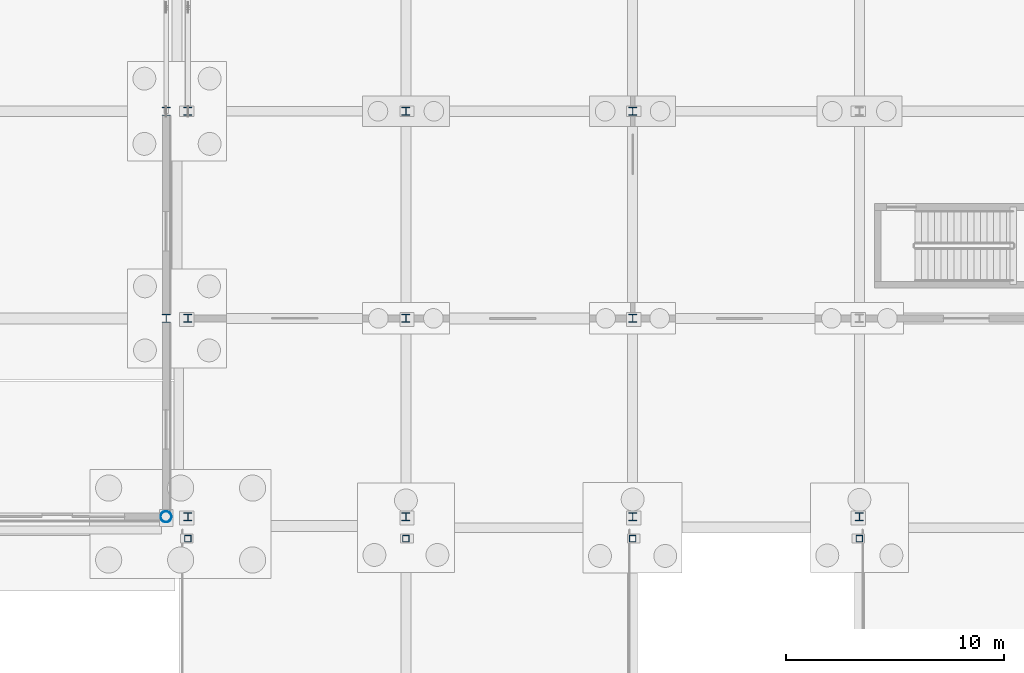
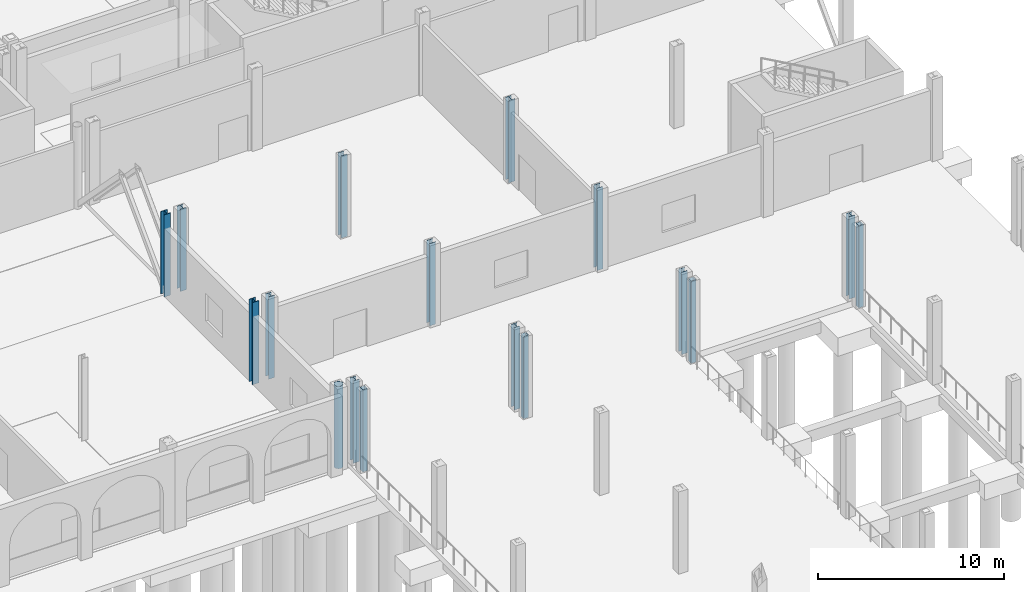
# One storey, part 30 of 83: 17 columns.
"""IFC4 building model written with IfcOpenShell, lengths in metres."""

from ifc_helpers import new_model, si_unit, direction, frame, origin, origin_2d, place, context, subcontext, project, spatial, hollow_rectangle, hollow_circle, i_section, extrude, material, material_profile, profile_set, type_object, element, save


model = new_model("IFC4")

# Units and contexts
model_context = context("Model", 3, precision=1e-05, world=origin(), true_north=direction((0.0, 1.0)))
body_context = subcontext(model_context, "Body", "Model", "MODEL_VIEW")
ifc_project = project(units=[si_unit("LENGTHUNIT", "METRE"), si_unit("AREAUNIT", "SQUARE_METRE"), si_unit("VOLUMEUNIT", "CUBIC_METRE"), si_unit("PLANEANGLEUNIT", "RADIAN"), si_unit("MASSUNIT", "GRAM", prefix="KILO")], contexts=[model_context])

# Site, building, storey
site_placement = place(None, origin())
site = spatial("IfcSite", under=ifc_project, at=site_placement, CompositionType="ELEMENT")
building_placement = place(site_placement, origin())
building = spatial("IfcBuilding", under=site, at=building_placement, Name="Caurita Quay Ferry Terminal", CompositionType="ELEMENT")
storey_placement = place(building_placement, origin())
storey = spatial("IfcBuildingStorey", under=building, at=storey_placement, Name="L00", CompositionType="ELEMENT", Elevation=0.0)

# Columns
ifc_material_1 = material(Name="Hollow structural steel ASTM A500 Gr. C", Category="steel")
ifc_material_profile_1 = material_profile(ifc_material_1, hollow_rectangle(XDim=0.3046875, YDim=0.3046875, WallThickness=0.01171875, InnerFilletRadius=0.01171875, OuterFilletRadius=0.023681640625, at=origin_2d()), Name="HSS12X12X1/2")
ifc_profile_set_1 = profile_set([ifc_material_profile_1], Name="Hollow structural steel ASTM A500 Gr. C")
column_type_1 = type_object("IfcColumnType", Name="COL-HSS-02", PredefinedType="COLUMN", material=ifc_profile_set_1)
for number, where, z_axis, x_axis, name in (
    (1, (132.800048828125, 33.60009765625, 0.0), (0.0, 0.0, 1.0), (1.0, 0.0, 0.0), "L00 Column V3-BP-15-E"),
    (2, (142.800048828125, 33.60009765625, 0.0), (0.0, 0.0, 1.0), (1.0, 0.0, 0.0), "L00 Column V3-BP-16-E"),
    (3, (153.199951171875, 33.60009765625, 0.0), (0.0, 0.0, 1.0), (1.0, 0.0, 0.0), "L00 Column V3-BP-17-E"),
    (4, (163.60009765625, 33.60009765625, 0.0), (0.0, 0.0, 1.0), (1.0, 0.0, 0.0), "L00 Column V3-BP-18-E"),
):
    element("IfcColumn", number, at=place(storey_placement, frame(where, z_axis=z_axis, x_axis=x_axis)), inside=storey, type_object=column_type_1, Name=name, PredefinedType="COLUMN", context=body_context, shape_type="SweptSolid", body=[
        extrude(hollow_rectangle(XDim=0.3046875, YDim=0.3046875, WallThickness=0.01171875, InnerFilletRadius=0.01171875, OuterFilletRadius=0.023681640625, at=origin_2d()), origin(), (0.0, 0.0, 1.0), 5.39990234375),
    ])
ifc_material_profile_2 = material_profile(ifc_material_1, hollow_circle(Radius=0.25390625, WallThickness=0.01171875, at=origin_2d()), Name="HSS20.000X0.500")
ifc_profile_set_2 = profile_set([ifc_material_profile_2], Name="Hollow structural steel ASTM A500 Gr. C")
column_type_2 = type_object("IfcColumnType", Name="COL-MST-01", PredefinedType="COLUMN", material=ifc_profile_set_2)
column_placement = place(storey_placement, frame((131.800048828125, 34.60009765625, 0.0), z_axis=(0.0, 0.0, 1.0), x_axis=(1.0, 0.0, 0.0)))
element("IfcColumn", 5, at=column_placement, inside=storey, type_object=column_type_2, Name="L00 Column V2-MST-14-S", PredefinedType="COLUMN", context=body_context, shape_type="SweptSolid", body=[
    extrude(hollow_circle(Radius=0.25390625, WallThickness=0.01171875, at=origin_2d()), origin(), (0.0, 0.0, 1.0), 5.39990234375),
])
ifc_material_2 = material(Name="Structural steel ASTM A992 Gr. 50", Category="steel")
ifc_material_profile_3 = material_profile(ifc_material_2, i_section(OverallWidth=0.398681640625, OverallDepth=0.393798828125, WebThickness=0.022705078125, FlangeThickness=0.03662109375, FilletRadius=0.017822265625, at=origin_2d()), Name="W14X193")
ifc_profile_set_3 = profile_set([ifc_material_profile_3], Name="Structural steel ASTM A992 Gr. 50")
column_type_3 = type_object("IfcColumnType", Name="COL-STL-04", PredefinedType="COLUMN", material=ifc_profile_set_3)
for number, where, z_axis, x_axis, name in (
    (6, (131.800048828125, 43.699951171875, 0.0), (0.0, 0.0, 1.0), (1.0, 0.0, 0.0), "L00 Column V2-GBL-14-G"),
    (7, (131.800048828125, 53.199951171875, 0.0), (0.0, 0.0, 1.0), (1.0, 0.0, 0.0), "L00 Column V2-GBL-14-H"),
):
    element("IfcColumn", number, at=place(storey_placement, frame(where, z_axis=z_axis, x_axis=x_axis)), inside=storey, type_object=column_type_3, Name=name, PredefinedType="COLUMN", context=body_context, shape_type="SweptSolid", body=[
        extrude(i_section(OverallWidth=0.398681640625, OverallDepth=0.393798828125, WebThickness=0.022705078125, FlangeThickness=0.03662109375, FilletRadius=0.017822265625, at=origin_2d()), origin(), (0.0, 0.0, 1.0), 5.39990234375),
    ])
ifc_material_profile_4 = material_profile(ifc_material_2, i_section(OverallWidth=0.370849609375, OverallDepth=0.36328125, WebThickness=0.01318359375, FlangeThickness=0.021728515625, FilletRadius=0.017822265625, at=origin_2d()), Name="W14X109")
ifc_profile_set_4 = profile_set([ifc_material_profile_4], Name="Structural steel ASTM A992 Gr. 50")
column_type_4 = type_object("IfcColumnType", Name="COL-STL-08", PredefinedType="COLUMN", material=ifc_profile_set_4)
for number, where, z_axis, x_axis, name in (
    (8, (132.800048828125, 34.60009765625, 0.0), (0.0, 0.0, 1.0), (1.0, 0.0, 0.0), "L00 Column V3-HH-15-F"),
    (9, (132.800048828125, 43.699951171875, 0.0), (0.0, 0.0, 1.0), (1.0, 0.0, 0.0), "L00 Column V3-HH-15-G"),
    (10, (132.800048828125, 53.199951171875, 0.0), (0.0, 0.0, 1.0), (1.0, 0.0, 0.0), "L00 Column V3-HH-15-H"),
    (11, (142.800048828125, 34.60009765625, 0.0), (0.0, 0.0, 1.0), (1.0, 0.0, 0.0), "L00 Column V3-HH-16-F"),
    (12, (142.800048828125, 43.699951171875, 0.0), (0.0, 0.0, 1.0), (1.0, 0.0, 0.0), "L00 Column V3-HH-16-G"),
    (13, (142.800048828125, 53.199951171875, 0.0), (0.0, 0.0, 1.0), (1.0, 0.0, 0.0), "L00 Column V3-HH-16-H"),
    (14, (153.199951171875, 34.60009765625, 0.0), (0.0, 0.0, 1.0), (1.0, 0.0, 0.0), "L00 Column V3-HH-17-F"),
    (15, (153.199951171875, 43.699951171875, 0.0), (0.0, 0.0, 1.0), (1.0, 0.0, 0.0), "L00 Column V3-HH-17-G"),
    (16, (153.199951171875, 53.199951171875, 0.0), (0.0, 0.0, 1.0), (1.0, 0.0, 0.0), "L00 Column V3-HH-17-H"),
    (17, (163.60009765625, 34.60009765625, 0.0), (0.0, 0.0, 1.0), (1.0, 0.0, 0.0), "L00 Column V3-HH-18-F"),
):
    element("IfcColumn", number, at=place(storey_placement, frame(where, z_axis=z_axis, x_axis=x_axis)), inside=storey, type_object=column_type_4, Name=name, PredefinedType="COLUMN", context=body_context, shape_type="SweptSolid", body=[
        extrude(i_section(OverallWidth=0.370849609375, OverallDepth=0.36328125, WebThickness=0.01318359375, FlangeThickness=0.021728515625, FilletRadius=0.017822265625, at=origin_2d()), origin(), (0.0, 0.0, 1.0), 5.39990234375),
    ])

save(model, "model.ifc")
